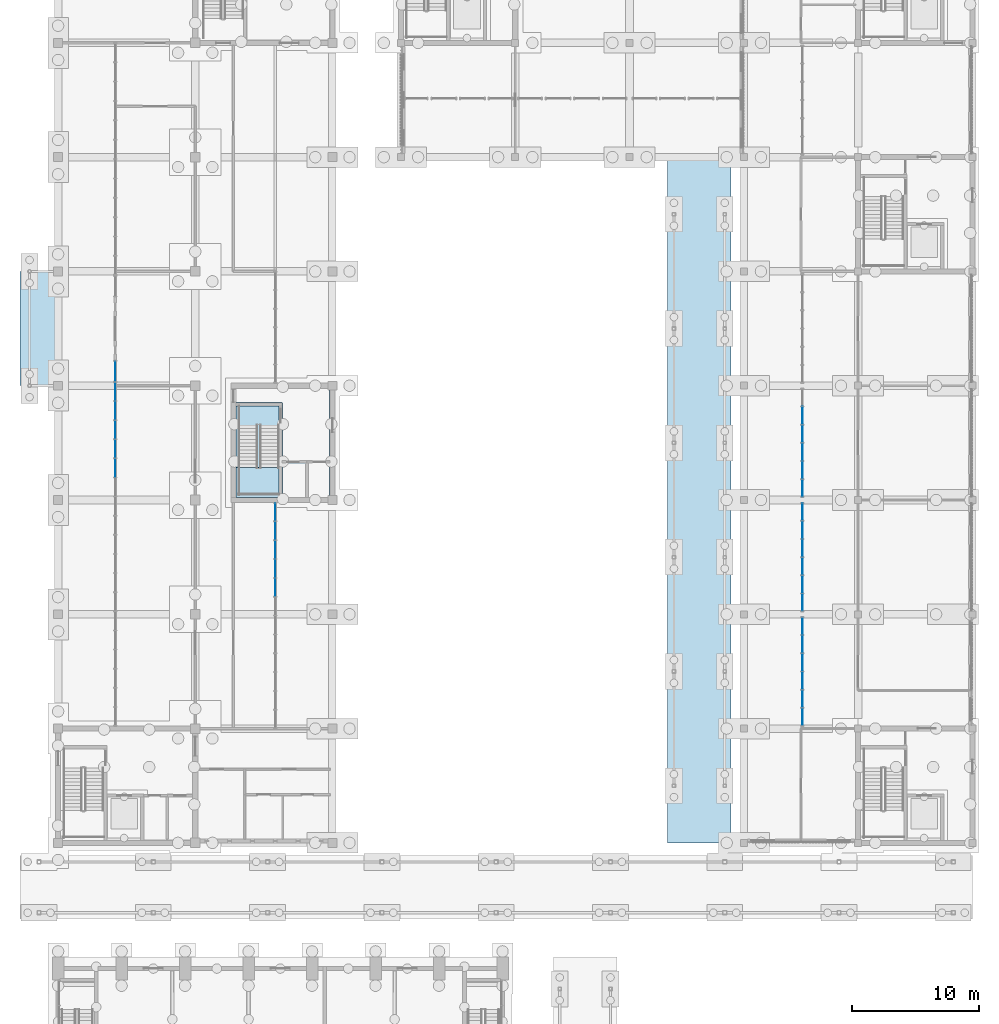
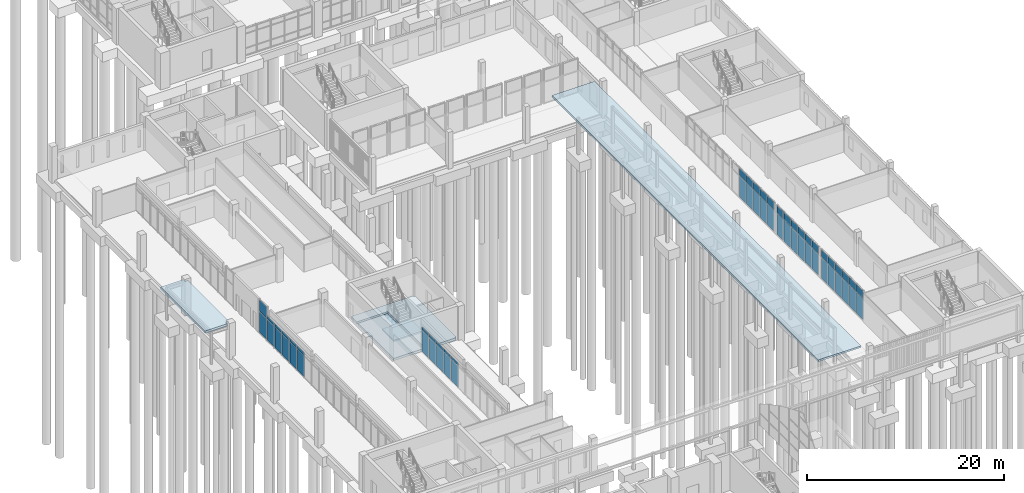
# One storey, part 59 of 106: 56 plates, 5 slabs, 7 elements without a shape of their own.
"""IFC4 building model written with IfcOpenShell, lengths in metres."""

from ifc_helpers import new_model, si_unit, direction, frame, origin, origin_2d, place, context, subcontext, project, spatial, polyline, rectangle, outline, extrude, material, layer, layer_set, type_object, element, aggregate, save


model = new_model("IFC4")

# Units and contexts
model_context = context("Model", 3, precision=1e-05, world=origin(), true_north=direction((0.0, 1.0)))
body_context = subcontext(model_context, "Body", "Model", "MODEL_VIEW")
ifc_project = project(units=[si_unit("LENGTHUNIT", "METRE"), si_unit("AREAUNIT", "SQUARE_METRE"), si_unit("VOLUMEUNIT", "CUBIC_METRE"), si_unit("PLANEANGLEUNIT", "RADIAN"), si_unit("MASSUNIT", "GRAM", prefix="KILO")], contexts=[model_context])

# Site, building, storey
site_placement = place(None, origin())
site = spatial("IfcSite", under=ifc_project, at=site_placement, CompositionType="ELEMENT")
building_placement = place(site_placement, origin())
building = spatial("IfcBuilding", under=site, at=building_placement, Name="Merrow Basin Faculty of Sciences", CompositionType="ELEMENT")
storey_placement = place(building_placement, origin())
storey = spatial("IfcBuildingStorey", under=building, at=storey_placement, Name="L00", CompositionType="ELEMENT", Elevation=0.0)

# Slabs
ifc_material_1 = material(Name="Concrete C40/50", Category="concrete")
ifc_layer_1 = layer(ifc_material_1, 0.219970703125)
ifc_layer_set_1 = layer_set([ifc_layer_1], Name="Canopy slab 220 Concrete C40/50")
slab_type_1 = type_object("IfcSlabType", Name="Canopy slab 220 Concrete C40/50", PredefinedType="ROOF", material=ifc_layer_set_1)
slab_1_placement = place(storey_placement, frame((0.0, 0.0, 4.179931640625)))
element("IfcSlab", 1, at=slab_1_placement, inside=storey, type_object=slab_type_1, Name="SL2 passage canopy P3 L00 004", PredefinedType="ROOF", context=body_context, shape_type="SweptSolid", body=[
    extrude(outline(polyline([(48.0, 115.0), (53.0, 115.0), (53.0, 61.0), (48.0, 61.0), (48.0, 115.0)])), origin(), (0.0, 0.0, 1.0), 0.219970703125),
])
ifc_material_2 = material(Name="Concrete C40/50", Category="concrete")
ifc_layer_2 = layer(ifc_material_2, 0.280029296875)
ifc_layer_set_2 = layer_set([ifc_layer_2], Name="Canopy slab 280 Concrete C40/50")
slab_type_2 = type_object("IfcSlabType", Name="Canopy slab 280 Concrete C40/50", PredefinedType="ROOF", material=ifc_layer_set_2)
slab_2_placement = place(storey_placement, frame((0.0, 0.0, 3.719970703125)))
element("IfcSlab", 2, at=slab_2_placement, inside=storey, type_object=slab_type_2, Name="SL1 entrance canopy L00 001", PredefinedType="ROOF", context=body_context, shape_type="SweptSolid", body=[
    extrude(outline(polyline([(-0.35009765625, 97.35009765625), (-0.35009765625, 97.0), (-3.0, 97.0), (-3.0, 106.0), (-0.35009765625, 106.0), (-0.35009765625, 105.64990234375), (0.0, 105.64990234375), (0.0, 97.35009765625), (-0.35009765625, 97.35009765625)])), origin(), (0.0, 0.0, 1.0), 0.280029296875),
])
ifc_material_3 = material(Name="Concrete C40/50", Category="concrete")
ifc_layer_3 = layer(ifc_material_3, 0.300048828125)
ifc_layer_set_3 = layer_set([ifc_layer_3], Name="Ground slab 300 Concrete C40/50")
slab_type_3 = type_object("IfcSlabType", Name="Ground slab 300 Concrete C40/50", PredefinedType="BASESLAB", material=ifc_layer_set_3)
slab_3_placement = place(storey_placement, frame((0.0, 0.0, -0.300048828125)))
element("IfcSlab", 3, at=slab_3_placement, inside=storey, type_object=slab_type_3, Name="SL3 ground L00 004", PredefinedType="BASESLAB", context=body_context, shape_type="SweptSolid", body=[
    extrude(outline(polyline([(17.64990234375, 95.39990234375), (17.64990234375, 95.64990234375), (14.0, 95.64990234375), (14.0, 96.800048828125), (21.25, 96.800048828125), (21.25, 96.64990234375), (21.39990234375, 96.64990234375), (21.39990234375, 88.35009765625), (21.25, 88.35009765625), (21.25, 88.199951171875), (17.64990234375, 88.199951171875), (17.64990234375, 95.39990234375)])), origin(), (0.0, 0.0, 1.0), 0.300048828125),
])
slab_4_placement = place(storey_placement, frame((0.0, 0.0, -0.300048828125)))
element("IfcSlab", 4, at=slab_4_placement, inside=storey, type_object=slab_type_3, Name="SL3 ground L00 006", PredefinedType="BASESLAB", context=body_context, shape_type="SweptSolid", body=[
    extrude(outline(polyline([(17.39990234375, 88.199951171875), (14.0, 88.199951171875), (14.0, 95.39990234375), (17.39990234375, 95.39990234375), (17.39990234375, 88.199951171875)])), origin(), (0.0, 0.0, 1.0), 0.300048828125),
])

# Curtain wall, plates
ifc_material_4 = material(Name="Aluminium alloy 6063", Category="aluminium")
curtain_wall_type_1 = type_object("IfcCurtainWallType", Name="Bar ground curtain wall 200", PredefinedType="NOTDEFINED", material=ifc_material_4)
curtain_wall_1_placement = place(storey_placement, origin())
curtain_wall_1 = element("IfcCurtainWall", 5, at=curtain_wall_1_placement, inside=storey, type_object=curtain_wall_type_1, Name="Ground curtain wall L00 1", PredefinedType="NOTDEFINED")
ifc_material_5 = material(Name="Laminated safety glass", Category="glass")
ifc_layer_4 = layer(ifc_material_5, 0.035888671875)
ifc_layer_set_4 = layer_set([ifc_layer_4], Name="Laminated safety glass panel 36")
plate_type = type_object("IfcPlateType", Name="Laminated safety glass panel 36", PredefinedType="CURTAIN_PANEL", material=ifc_layer_set_4)
plate_1_placement = place(storey_placement, frame((4.5, 90.52490234375, 0.06005859375), z_axis=(0.0, 0.0, 1.0), x_axis=(0.0, 1.0, 0.0)))
plate_1 = element("IfcPlate", 6, at=plate_1_placement, type_object=plate_type, Name="CW2 panel 14.1", PredefinedType="CURTAIN_PANEL", context=body_context, shape_type="SweptSolid", body=[
    extrude(rectangle(XDim=1.445556640625, YDim=0.035888671875, at=origin_2d()), origin(), (0.0, 0.0, 1.0), 2.610107421875),
])
plate_2_placement = place(storey_placement, frame((4.5, 90.52490234375, 2.72998046875), z_axis=(0.0, 0.0, 1.0), x_axis=(0.0, 1.0, 0.0)))
plate_2 = element("IfcPlate", 7, at=plate_2_placement, type_object=plate_type, Name="CW2 panel 14.2", PredefinedType="CURTAIN_PANEL", context=body_context, shape_type="SweptSolid", body=[
    extrude(rectangle(XDim=1.445556640625, YDim=0.035888671875, at=origin_2d()), origin(), (0.0, 0.0, 1.0), 0.35009765625),
])
plate_3_placement = place(storey_placement, frame((4.5, 92.030517578125, 0.06005859375), z_axis=(0.0, 0.0, 1.0), x_axis=(0.0, 1.0, 0.0)))
plate_3 = element("IfcPlate", 8, at=plate_3_placement, type_object=plate_type, Name="CW2 panel 15.1", PredefinedType="CURTAIN_PANEL", context=body_context, shape_type="SweptSolid", body=[
    extrude(rectangle(XDim=1.445556640625, YDim=0.035888671875, at=origin_2d()), origin(), (0.0, 0.0, 1.0), 2.610107421875),
])
plate_4_placement = place(storey_placement, frame((4.5, 92.030517578125, 2.72998046875), z_axis=(0.0, 0.0, 1.0), x_axis=(0.0, 1.0, 0.0)))
plate_4 = element("IfcPlate", 9, at=plate_4_placement, type_object=plate_type, Name="CW2 panel 15.2", PredefinedType="CURTAIN_PANEL", context=body_context, shape_type="SweptSolid", body=[
    extrude(rectangle(XDim=1.445556640625, YDim=0.035888671875, at=origin_2d()), origin(), (0.0, 0.0, 1.0), 0.35009765625),
])
plate_5_placement = place(storey_placement, frame((4.5, 93.5361328125, 0.06005859375), z_axis=(0.0, 0.0, 1.0), x_axis=(0.0, 1.0, 0.0)))
plate_5 = element("IfcPlate", 10, at=plate_5_placement, type_object=plate_type, Name="CW2 panel 16.1", PredefinedType="CURTAIN_PANEL", context=body_context, shape_type="SweptSolid", body=[
    extrude(rectangle(XDim=1.445556640625, YDim=0.035888671875, at=origin_2d()), origin(), (0.0, 0.0, 1.0), 2.610107421875),
])
plate_6_placement = place(storey_placement, frame((4.5, 93.5361328125, 2.72998046875), z_axis=(0.0, 0.0, 1.0), x_axis=(0.0, 1.0, 0.0)))
plate_6 = element("IfcPlate", 11, at=plate_6_placement, type_object=plate_type, Name="CW2 panel 16.2", PredefinedType="CURTAIN_PANEL", context=body_context, shape_type="SweptSolid", body=[
    extrude(rectangle(XDim=1.445556640625, YDim=0.035888671875, at=origin_2d()), origin(), (0.0, 0.0, 1.0), 0.35009765625),
])
plate_7_placement = place(storey_placement, frame((4.5, 95.041748046875, 0.06005859375), z_axis=(0.0, 0.0, 1.0), x_axis=(0.0, 1.0, 0.0)))
plate_7 = element("IfcPlate", 12, at=plate_7_placement, type_object=plate_type, Name="CW2 panel 17.1", PredefinedType="CURTAIN_PANEL", context=body_context, shape_type="SweptSolid", body=[
    extrude(rectangle(XDim=1.445556640625, YDim=0.035888671875, at=origin_2d()), origin(), (0.0, 0.0, 1.0), 2.610107421875),
])
plate_8_placement = place(storey_placement, frame((4.5, 95.041748046875, 2.72998046875), z_axis=(0.0, 0.0, 1.0), x_axis=(0.0, 1.0, 0.0)))
plate_8 = element("IfcPlate", 13, at=plate_8_placement, type_object=plate_type, Name="CW2 panel 17.2", PredefinedType="CURTAIN_PANEL", context=body_context, shape_type="SweptSolid", body=[
    extrude(rectangle(XDim=1.445556640625, YDim=0.035888671875, at=origin_2d()), origin(), (0.0, 0.0, 1.0), 0.35009765625),
])
plate_9_placement = place(storey_placement, frame((4.5, 96.5322265625, 0.06005859375), z_axis=(0.0, 0.0, 1.0), x_axis=(0.0, 1.0, 0.0)))
plate_9 = element("IfcPlate", 14, at=plate_9_placement, type_object=plate_type, Name="CW2 panel 18.1", PredefinedType="CURTAIN_PANEL", context=body_context, shape_type="SweptSolid", body=[
    extrude(rectangle(XDim=1.41552734375, YDim=0.035888671875, at=origin_2d()), origin(), (0.0, 0.0, 1.0), 2.610107421875),
])
plate_10_placement = place(storey_placement, frame((4.5, 96.5322265625, 2.72998046875), z_axis=(0.0, 0.0, 1.0), x_axis=(0.0, 1.0, 0.0)))
plate_10 = element("IfcPlate", 15, at=plate_10_placement, type_object=plate_type, Name="CW2 panel 18.2", PredefinedType="CURTAIN_PANEL", context=body_context, shape_type="SweptSolid", body=[
    extrude(rectangle(XDim=1.41552734375, YDim=0.035888671875, at=origin_2d()), origin(), (0.0, 0.0, 1.0), 0.35009765625),
])
aggregate(curtain_wall_1, [plate_1, plate_2, plate_3, plate_4, plate_5, plate_6, plate_7, plate_8, plate_9, plate_10])

curtain_wall_2_placement = place(storey_placement, origin())
curtain_wall_2 = element("IfcCurtainWall", 16, at=curtain_wall_2_placement, inside=storey, type_object=curtain_wall_type_1, Name="Ground curtain wall L00 2", PredefinedType="NOTDEFINED")
plate_11_placement = place(storey_placement, frame((4.5, 98.14990234375, 0.06005859375), z_axis=(0.0, 0.0, 1.0), x_axis=(0.0, 1.0, 0.0)))
plate_11 = element("IfcPlate", 17, at=plate_11_placement, type_object=plate_type, Name="CW2 panel 1.1", PredefinedType="CURTAIN_PANEL", context=body_context, shape_type="SweptSolid", body=[
    extrude(rectangle(XDim=1.580078125, YDim=0.035888671875, at=origin_2d()), origin(), (0.0, 0.0, 1.0), 2.610107421875),
])
plate_12_placement = place(storey_placement, frame((4.5, 98.14990234375, 2.72998046875), z_axis=(0.0, 0.0, 1.0), x_axis=(0.0, 1.0, 0.0)))
plate_12 = element("IfcPlate", 18, at=plate_12_placement, type_object=plate_type, Name="CW2 panel 1.2", PredefinedType="CURTAIN_PANEL", context=body_context, shape_type="SweptSolid", body=[
    extrude(rectangle(XDim=1.580078125, YDim=0.035888671875, at=origin_2d()), origin(), (0.0, 0.0, 1.0), 1.409912109375),
])
aggregate(curtain_wall_2, [plate_11, plate_12])

curtain_wall_3_placement = place(storey_placement, origin())
curtain_wall_3 = element("IfcCurtainWall", 19, at=curtain_wall_3_placement, inside=storey, type_object=curtain_wall_type_1, Name="Ground curtain wall L00 5", PredefinedType="NOTDEFINED")
plate_13_placement = place(storey_placement, frame((17.10009765625, 81.125, 0.06005859375), z_axis=(0.0, 0.0, 1.0), x_axis=(0.0, 1.0, 0.0)))
plate_13 = element("IfcPlate", 20, at=plate_13_placement, type_object=plate_type, Name="CW2 panel 8.1", PredefinedType="CURTAIN_PANEL", context=body_context, shape_type="SweptSolid", body=[
    extrude(rectangle(XDim=1.42333984375, YDim=0.035888671875, at=origin_2d()), origin(), (0.0, 0.0, 1.0), 2.610107421875),
])
plate_14_placement = place(storey_placement, frame((17.10009765625, 81.125, 2.72998046875), z_axis=(0.0, 0.0, 1.0), x_axis=(0.0, 1.0, 0.0)))
plate_14 = element("IfcPlate", 21, at=plate_14_placement, type_object=plate_type, Name="CW2 panel 8.2", PredefinedType="CURTAIN_PANEL", context=body_context, shape_type="SweptSolid", body=[
    extrude(rectangle(XDim=1.42333984375, YDim=0.035888671875, at=origin_2d()), origin(), (0.0, 0.0, 1.0), 0.35009765625),
])
plate_15_placement = place(storey_placement, frame((17.10009765625, 82.6083984375, 0.06005859375), z_axis=(0.0, 0.0, 1.0), x_axis=(0.0, 1.0, 0.0)))
plate_15 = element("IfcPlate", 22, at=plate_15_placement, type_object=plate_type, Name="CW2 panel 9.1", PredefinedType="CURTAIN_PANEL", context=body_context, shape_type="SweptSolid", body=[
    extrude(rectangle(XDim=1.42333984375, YDim=0.035888671875, at=origin_2d()), origin(), (0.0, 0.0, 1.0), 2.610107421875),
])
plate_16_placement = place(storey_placement, frame((17.10009765625, 82.6083984375, 2.72998046875), z_axis=(0.0, 0.0, 1.0), x_axis=(0.0, 1.0, 0.0)))
plate_16 = element("IfcPlate", 23, at=plate_16_placement, type_object=plate_type, Name="CW2 panel 9.2", PredefinedType="CURTAIN_PANEL", context=body_context, shape_type="SweptSolid", body=[
    extrude(rectangle(XDim=1.42333984375, YDim=0.035888671875, at=origin_2d()), origin(), (0.0, 0.0, 1.0), 0.35009765625),
])
plate_17_placement = place(storey_placement, frame((17.10009765625, 84.091552734375, 0.06005859375), z_axis=(0.0, 0.0, 1.0), x_axis=(0.0, 1.0, 0.0)))
plate_17 = element("IfcPlate", 24, at=plate_17_placement, type_object=plate_type, Name="CW2 panel 10.1", PredefinedType="CURTAIN_PANEL", context=body_context, shape_type="SweptSolid", body=[
    extrude(rectangle(XDim=1.42333984375, YDim=0.035888671875, at=origin_2d()), origin(), (0.0, 0.0, 1.0), 2.610107421875),
])
plate_18_placement = place(storey_placement, frame((17.10009765625, 84.091552734375, 2.72998046875), z_axis=(0.0, 0.0, 1.0), x_axis=(0.0, 1.0, 0.0)))
plate_18 = element("IfcPlate", 25, at=plate_18_placement, type_object=plate_type, Name="CW2 panel 10.2", PredefinedType="CURTAIN_PANEL", context=body_context, shape_type="SweptSolid", body=[
    extrude(rectangle(XDim=1.42333984375, YDim=0.035888671875, at=origin_2d()), origin(), (0.0, 0.0, 1.0), 0.35009765625),
])
plate_19_placement = place(storey_placement, frame((17.10009765625, 85.574951171875, 0.06005859375), z_axis=(0.0, 0.0, 1.0), x_axis=(0.0, 1.0, 0.0)))
plate_19 = element("IfcPlate", 26, at=plate_19_placement, type_object=plate_type, Name="CW2 panel 11.1", PredefinedType="CURTAIN_PANEL", context=body_context, shape_type="SweptSolid", body=[
    extrude(rectangle(XDim=1.42333984375, YDim=0.035888671875, at=origin_2d()), origin(), (0.0, 0.0, 1.0), 2.610107421875),
])
plate_20_placement = place(storey_placement, frame((17.10009765625, 85.574951171875, 2.72998046875), z_axis=(0.0, 0.0, 1.0), x_axis=(0.0, 1.0, 0.0)))
plate_20 = element("IfcPlate", 27, at=plate_20_placement, type_object=plate_type, Name="CW2 panel 11.2", PredefinedType="CURTAIN_PANEL", context=body_context, shape_type="SweptSolid", body=[
    extrude(rectangle(XDim=1.42333984375, YDim=0.035888671875, at=origin_2d()), origin(), (0.0, 0.0, 1.0), 0.35009765625),
])
plate_21_placement = place(storey_placement, frame((17.10009765625, 87.043212890625, 0.06005859375), z_axis=(0.0, 0.0, 1.0), x_axis=(0.0, 1.0, 0.0)))
plate_21 = element("IfcPlate", 28, at=plate_21_placement, type_object=plate_type, Name="CW2 panel 12.1", PredefinedType="CURTAIN_PANEL", context=body_context, shape_type="SweptSolid", body=[
    extrude(rectangle(XDim=1.393310546875, YDim=0.035888671875, at=origin_2d()), origin(), (0.0, 0.0, 1.0), 2.610107421875),
])
plate_22_placement = place(storey_placement, frame((17.10009765625, 87.043212890625, 2.72998046875), z_axis=(0.0, 0.0, 1.0), x_axis=(0.0, 1.0, 0.0)))
plate_22 = element("IfcPlate", 29, at=plate_22_placement, type_object=plate_type, Name="CW2 panel 12.2", PredefinedType="CURTAIN_PANEL", context=body_context, shape_type="SweptSolid", body=[
    extrude(rectangle(XDim=1.393310546875, YDim=0.035888671875, at=origin_2d()), origin(), (0.0, 0.0, 1.0), 0.35009765625),
])
aggregate(curtain_wall_3, [plate_13, plate_14, plate_15, plate_16, plate_17, plate_18, plate_19, plate_20, plate_21, plate_22])

ifc_material_6 = material(Name="Aluminium alloy 6063", Category="aluminium")
curtain_wall_type_2 = type_object("IfcCurtainWallType", Name="Arcade curtain wall 220", PredefinedType="NOTDEFINED", material=ifc_material_6)
curtain_wall_4_placement = place(storey_placement, origin())
curtain_wall_4 = element("IfcCurtainWall", 30, at=curtain_wall_4_placement, inside=storey, type_object=curtain_wall_type_2, Name="Arcade curtain wall L00 1", PredefinedType="NOTDEFINED")
plate_23_placement = place(storey_placement, frame((58.610107421875, 70.931640625, 0.06005859375), z_axis=(0.0, 0.0, 1.0), x_axis=(0.0, 1.0, 0.0)))
plate_23 = element("IfcPlate", 31, at=plate_23_placement, type_object=plate_type, Name="CW9 panel 1.1", PredefinedType="CURTAIN_PANEL", context=body_context, shape_type="SweptSolid", body=[
    extrude(rectangle(XDim=1.34326171875, YDim=0.035888671875, at=origin_2d()), origin(), (0.0, 0.0, 1.0), 2.610107421875),
])
plate_24_placement = place(storey_placement, frame((58.610107421875, 70.931640625, 2.72998046875), z_axis=(0.0, 0.0, 1.0), x_axis=(0.0, 1.0, 0.0)))
plate_24 = element("IfcPlate", 32, at=plate_24_placement, type_object=plate_type, Name="CW9 panel 1.2", PredefinedType="CURTAIN_PANEL", context=body_context, shape_type="SweptSolid", body=[
    extrude(rectangle(XDim=1.34326171875, YDim=0.035888671875, at=origin_2d()), origin(), (0.0, 0.0, 1.0), 0.909912109375),
])
plate_25_placement = place(storey_placement, frame((58.610107421875, 72.35009765625, 0.06005859375), z_axis=(0.0, 0.0, 1.0), x_axis=(0.0, 1.0, 0.0)))
plate_25 = element("IfcPlate", 33, at=plate_25_placement, type_object=plate_type, Name="CW9 panel 2.1", PredefinedType="CURTAIN_PANEL", context=body_context, shape_type="SweptSolid", body=[
    extrude(rectangle(XDim=1.373291015625, YDim=0.035888671875, at=origin_2d()), origin(), (0.0, 0.0, 1.0), 2.610107421875),
])
plate_26_placement = place(storey_placement, frame((58.610107421875, 72.35009765625, 2.72998046875), z_axis=(0.0, 0.0, 1.0), x_axis=(0.0, 1.0, 0.0)))
plate_26 = element("IfcPlate", 34, at=plate_26_placement, type_object=plate_type, Name="CW9 panel 2.2", PredefinedType="CURTAIN_PANEL", context=body_context, shape_type="SweptSolid", body=[
    extrude(rectangle(XDim=1.373291015625, YDim=0.035888671875, at=origin_2d()), origin(), (0.0, 0.0, 1.0), 0.909912109375),
])
plate_27_placement = place(storey_placement, frame((58.610107421875, 73.783447265625, 0.06005859375), z_axis=(0.0, 0.0, 1.0), x_axis=(0.0, 1.0, 0.0)))
plate_27 = element("IfcPlate", 35, at=plate_27_placement, type_object=plate_type, Name="CW9 panel 3.1", PredefinedType="CURTAIN_PANEL", context=body_context, shape_type="SweptSolid", body=[
    extrude(rectangle(XDim=1.373291015625, YDim=0.035888671875, at=origin_2d()), origin(), (0.0, 0.0, 1.0), 2.610107421875),
])
plate_28_placement = place(storey_placement, frame((58.610107421875, 73.783447265625, 2.72998046875), z_axis=(0.0, 0.0, 1.0), x_axis=(0.0, 1.0, 0.0)))
plate_28 = element("IfcPlate", 36, at=plate_28_placement, type_object=plate_type, Name="CW9 panel 3.2", PredefinedType="CURTAIN_PANEL", context=body_context, shape_type="SweptSolid", body=[
    extrude(rectangle(XDim=1.373291015625, YDim=0.035888671875, at=origin_2d()), origin(), (0.0, 0.0, 1.0), 0.909912109375),
])
plate_29_placement = place(storey_placement, frame((58.610107421875, 75.216552734375, 0.06005859375), z_axis=(0.0, 0.0, 1.0), x_axis=(0.0, 1.0, 0.0)))
plate_29 = element("IfcPlate", 37, at=plate_29_placement, type_object=plate_type, Name="CW9 panel 4.1", PredefinedType="CURTAIN_PANEL", context=body_context, shape_type="SweptSolid", body=[
    extrude(rectangle(XDim=1.373291015625, YDim=0.035888671875, at=origin_2d()), origin(), (0.0, 0.0, 1.0), 2.610107421875),
])
plate_30_placement = place(storey_placement, frame((58.610107421875, 75.216552734375, 2.72998046875), z_axis=(0.0, 0.0, 1.0), x_axis=(0.0, 1.0, 0.0)))
plate_30 = element("IfcPlate", 38, at=plate_30_placement, type_object=plate_type, Name="CW9 panel 4.2", PredefinedType="CURTAIN_PANEL", context=body_context, shape_type="SweptSolid", body=[
    extrude(rectangle(XDim=1.373291015625, YDim=0.035888671875, at=origin_2d()), origin(), (0.0, 0.0, 1.0), 0.909912109375),
])
plate_31_placement = place(storey_placement, frame((58.610107421875, 76.64990234375, 0.06005859375), z_axis=(0.0, 0.0, 1.0), x_axis=(0.0, 1.0, 0.0)))
plate_31 = element("IfcPlate", 39, at=plate_31_placement, type_object=plate_type, Name="CW9 panel 5.1", PredefinedType="CURTAIN_PANEL", context=body_context, shape_type="SweptSolid", body=[
    extrude(rectangle(XDim=1.373291015625, YDim=0.035888671875, at=origin_2d()), origin(), (0.0, 0.0, 1.0), 2.610107421875),
])
plate_32_placement = place(storey_placement, frame((58.610107421875, 76.64990234375, 2.72998046875), z_axis=(0.0, 0.0, 1.0), x_axis=(0.0, 1.0, 0.0)))
plate_32 = element("IfcPlate", 40, at=plate_32_placement, type_object=plate_type, Name="CW9 panel 5.2", PredefinedType="CURTAIN_PANEL", context=body_context, shape_type="SweptSolid", body=[
    extrude(rectangle(XDim=1.373291015625, YDim=0.035888671875, at=origin_2d()), origin(), (0.0, 0.0, 1.0), 0.909912109375),
])
plate_33_placement = place(storey_placement, frame((58.610107421875, 78.068359375, 0.06005859375), z_axis=(0.0, 0.0, 1.0), x_axis=(0.0, 1.0, 0.0)))
plate_33 = element("IfcPlate", 41, at=plate_33_placement, type_object=plate_type, Name="CW9 panel 6.1", PredefinedType="CURTAIN_PANEL", context=body_context, shape_type="SweptSolid", body=[
    extrude(rectangle(XDim=1.34326171875, YDim=0.035888671875, at=origin_2d()), origin(), (0.0, 0.0, 1.0), 2.610107421875),
])
plate_34_placement = place(storey_placement, frame((58.610107421875, 78.068359375, 2.72998046875), z_axis=(0.0, 0.0, 1.0), x_axis=(0.0, 1.0, 0.0)))
plate_34 = element("IfcPlate", 42, at=plate_34_placement, type_object=plate_type, Name="CW9 panel 6.2", PredefinedType="CURTAIN_PANEL", context=body_context, shape_type="SweptSolid", body=[
    extrude(rectangle(XDim=1.34326171875, YDim=0.035888671875, at=origin_2d()), origin(), (0.0, 0.0, 1.0), 0.909912109375),
])
aggregate(curtain_wall_4, [plate_23, plate_24, plate_25, plate_26, plate_27, plate_28, plate_29, plate_30, plate_31, plate_32, plate_33, plate_34])

curtain_wall_5_placement = place(storey_placement, origin())
curtain_wall_5 = element("IfcCurtainWall", 43, at=curtain_wall_5_placement, inside=storey, type_object=curtain_wall_type_2, Name="Arcade curtain wall L00 2", PredefinedType="NOTDEFINED")
plate_35_placement = place(storey_placement, frame((58.610107421875, 79.931640625, 0.06005859375), z_axis=(0.0, 0.0, 1.0), x_axis=(0.0, 1.0, 0.0)))
plate_35 = element("IfcPlate", 44, at=plate_35_placement, type_object=plate_type, Name="CW9 panel 1.1", PredefinedType="CURTAIN_PANEL", context=body_context, shape_type="SweptSolid", body=[
    extrude(rectangle(XDim=1.34326171875, YDim=0.035888671875, at=origin_2d()), origin(), (0.0, 0.0, 1.0), 2.610107421875),
])
plate_36_placement = place(storey_placement, frame((58.610107421875, 79.931640625, 2.72998046875), z_axis=(0.0, 0.0, 1.0), x_axis=(0.0, 1.0, 0.0)))
plate_36 = element("IfcPlate", 45, at=plate_36_placement, type_object=plate_type, Name="CW9 panel 1.2", PredefinedType="CURTAIN_PANEL", context=body_context, shape_type="SweptSolid", body=[
    extrude(rectangle(XDim=1.34326171875, YDim=0.035888671875, at=origin_2d()), origin(), (0.0, 0.0, 1.0), 0.909912109375),
])
plate_37_placement = place(storey_placement, frame((58.610107421875, 81.35009765625, 0.06005859375), z_axis=(0.0, 0.0, 1.0), x_axis=(0.0, 1.0, 0.0)))
plate_37 = element("IfcPlate", 46, at=plate_37_placement, type_object=plate_type, Name="CW9 panel 2.1", PredefinedType="CURTAIN_PANEL", context=body_context, shape_type="SweptSolid", body=[
    extrude(rectangle(XDim=1.373291015625, YDim=0.035888671875, at=origin_2d()), origin(), (0.0, 0.0, 1.0), 2.610107421875),
])
plate_38_placement = place(storey_placement, frame((58.610107421875, 81.35009765625, 2.72998046875), z_axis=(0.0, 0.0, 1.0), x_axis=(0.0, 1.0, 0.0)))
plate_38 = element("IfcPlate", 47, at=plate_38_placement, type_object=plate_type, Name="CW9 panel 2.2", PredefinedType="CURTAIN_PANEL", context=body_context, shape_type="SweptSolid", body=[
    extrude(rectangle(XDim=1.373291015625, YDim=0.035888671875, at=origin_2d()), origin(), (0.0, 0.0, 1.0), 0.909912109375),
])
plate_39_placement = place(storey_placement, frame((58.610107421875, 82.783447265625, 0.06005859375), z_axis=(0.0, 0.0, 1.0), x_axis=(0.0, 1.0, 0.0)))
plate_39 = element("IfcPlate", 48, at=plate_39_placement, type_object=plate_type, Name="CW9 panel 3.1", PredefinedType="CURTAIN_PANEL", context=body_context, shape_type="SweptSolid", body=[
    extrude(rectangle(XDim=1.373291015625, YDim=0.035888671875, at=origin_2d()), origin(), (0.0, 0.0, 1.0), 2.610107421875),
])
plate_40_placement = place(storey_placement, frame((58.610107421875, 82.783447265625, 2.72998046875), z_axis=(0.0, 0.0, 1.0), x_axis=(0.0, 1.0, 0.0)))
plate_40 = element("IfcPlate", 49, at=plate_40_placement, type_object=plate_type, Name="CW9 panel 3.2", PredefinedType="CURTAIN_PANEL", context=body_context, shape_type="SweptSolid", body=[
    extrude(rectangle(XDim=1.373291015625, YDim=0.035888671875, at=origin_2d()), origin(), (0.0, 0.0, 1.0), 0.909912109375),
])
plate_41_placement = place(storey_placement, frame((58.610107421875, 84.216552734375, 0.06005859375), z_axis=(0.0, 0.0, 1.0), x_axis=(0.0, 1.0, 0.0)))
plate_41 = element("IfcPlate", 50, at=plate_41_placement, type_object=plate_type, Name="CW9 panel 4.1", PredefinedType="CURTAIN_PANEL", context=body_context, shape_type="SweptSolid", body=[
    extrude(rectangle(XDim=1.373291015625, YDim=0.035888671875, at=origin_2d()), origin(), (0.0, 0.0, 1.0), 2.610107421875),
])
plate_42_placement = place(storey_placement, frame((58.610107421875, 84.216552734375, 2.72998046875), z_axis=(0.0, 0.0, 1.0), x_axis=(0.0, 1.0, 0.0)))
plate_42 = element("IfcPlate", 51, at=plate_42_placement, type_object=plate_type, Name="CW9 panel 4.2", PredefinedType="CURTAIN_PANEL", context=body_context, shape_type="SweptSolid", body=[
    extrude(rectangle(XDim=1.373291015625, YDim=0.035888671875, at=origin_2d()), origin(), (0.0, 0.0, 1.0), 0.909912109375),
])
plate_43_placement = place(storey_placement, frame((58.610107421875, 85.64990234375, 0.06005859375), z_axis=(0.0, 0.0, 1.0), x_axis=(0.0, 1.0, 0.0)))
plate_43 = element("IfcPlate", 52, at=plate_43_placement, type_object=plate_type, Name="CW9 panel 5.1", PredefinedType="CURTAIN_PANEL", context=body_context, shape_type="SweptSolid", body=[
    extrude(rectangle(XDim=1.373291015625, YDim=0.035888671875, at=origin_2d()), origin(), (0.0, 0.0, 1.0), 2.610107421875),
])
plate_44_placement = place(storey_placement, frame((58.610107421875, 85.64990234375, 2.72998046875), z_axis=(0.0, 0.0, 1.0), x_axis=(0.0, 1.0, 0.0)))
plate_44 = element("IfcPlate", 53, at=plate_44_placement, type_object=plate_type, Name="CW9 panel 5.2", PredefinedType="CURTAIN_PANEL", context=body_context, shape_type="SweptSolid", body=[
    extrude(rectangle(XDim=1.373291015625, YDim=0.035888671875, at=origin_2d()), origin(), (0.0, 0.0, 1.0), 0.909912109375),
])
plate_45_placement = place(storey_placement, frame((58.610107421875, 87.068359375, 0.06005859375), z_axis=(0.0, 0.0, 1.0), x_axis=(0.0, 1.0, 0.0)))
plate_45 = element("IfcPlate", 54, at=plate_45_placement, type_object=plate_type, Name="CW9 panel 6.1", PredefinedType="CURTAIN_PANEL", context=body_context, shape_type="SweptSolid", body=[
    extrude(rectangle(XDim=1.34326171875, YDim=0.035888671875, at=origin_2d()), origin(), (0.0, 0.0, 1.0), 2.610107421875),
])
plate_46_placement = place(storey_placement, frame((58.610107421875, 87.068359375, 2.72998046875), z_axis=(0.0, 0.0, 1.0), x_axis=(0.0, 1.0, 0.0)))
plate_46 = element("IfcPlate", 55, at=plate_46_placement, type_object=plate_type, Name="CW9 panel 6.2", PredefinedType="CURTAIN_PANEL", context=body_context, shape_type="SweptSolid", body=[
    extrude(rectangle(XDim=1.34326171875, YDim=0.035888671875, at=origin_2d()), origin(), (0.0, 0.0, 1.0), 0.909912109375),
])
aggregate(curtain_wall_5, [plate_35, plate_36, plate_37, plate_38, plate_39, plate_40, plate_41, plate_42, plate_43, plate_44, plate_45, plate_46])

curtain_wall_6_placement = place(storey_placement, origin())
curtain_wall_6 = element("IfcCurtainWall", 56, at=curtain_wall_6_placement, inside=storey, type_object=curtain_wall_type_2, Name="Arcade curtain wall L00 3", PredefinedType="NOTDEFINED")
plate_47_placement = place(storey_placement, frame((58.610107421875, 88.931640625, 0.06005859375), z_axis=(0.0, 0.0, 1.0), x_axis=(0.0, 1.0, 0.0)))
plate_47 = element("IfcPlate", 57, at=plate_47_placement, type_object=plate_type, Name="CW9 panel 1.1", PredefinedType="CURTAIN_PANEL", context=body_context, shape_type="SweptSolid", body=[
    extrude(rectangle(XDim=1.34326171875, YDim=0.035888671875, at=origin_2d()), origin(), (0.0, 0.0, 1.0), 2.610107421875),
])
plate_48_placement = place(storey_placement, frame((58.610107421875, 88.931640625, 2.72998046875), z_axis=(0.0, 0.0, 1.0), x_axis=(0.0, 1.0, 0.0)))
plate_48 = element("IfcPlate", 58, at=plate_48_placement, type_object=plate_type, Name="CW9 panel 1.2", PredefinedType="CURTAIN_PANEL", context=body_context, shape_type="SweptSolid", body=[
    extrude(rectangle(XDim=1.34326171875, YDim=0.035888671875, at=origin_2d()), origin(), (0.0, 0.0, 1.0), 0.909912109375),
])
plate_49_placement = place(storey_placement, frame((58.610107421875, 90.35009765625, 0.06005859375), z_axis=(0.0, 0.0, 1.0), x_axis=(0.0, 1.0, 0.0)))
plate_49 = element("IfcPlate", 59, at=plate_49_placement, type_object=plate_type, Name="CW9 panel 2.1", PredefinedType="CURTAIN_PANEL", context=body_context, shape_type="SweptSolid", body=[
    extrude(rectangle(XDim=1.373291015625, YDim=0.035888671875, at=origin_2d()), origin(), (0.0, 0.0, 1.0), 2.610107421875),
])
plate_50_placement = place(storey_placement, frame((58.610107421875, 90.35009765625, 2.72998046875), z_axis=(0.0, 0.0, 1.0), x_axis=(0.0, 1.0, 0.0)))
plate_50 = element("IfcPlate", 60, at=plate_50_placement, type_object=plate_type, Name="CW9 panel 2.2", PredefinedType="CURTAIN_PANEL", context=body_context, shape_type="SweptSolid", body=[
    extrude(rectangle(XDim=1.373291015625, YDim=0.035888671875, at=origin_2d()), origin(), (0.0, 0.0, 1.0), 0.909912109375),
])
plate_51_placement = place(storey_placement, frame((58.610107421875, 91.783447265625, 0.06005859375), z_axis=(0.0, 0.0, 1.0), x_axis=(0.0, 1.0, 0.0)))
plate_51 = element("IfcPlate", 61, at=plate_51_placement, type_object=plate_type, Name="CW9 panel 3.1", PredefinedType="CURTAIN_PANEL", context=body_context, shape_type="SweptSolid", body=[
    extrude(rectangle(XDim=1.373291015625, YDim=0.035888671875, at=origin_2d()), origin(), (0.0, 0.0, 1.0), 2.610107421875),
])
plate_52_placement = place(storey_placement, frame((58.610107421875, 91.783447265625, 2.72998046875), z_axis=(0.0, 0.0, 1.0), x_axis=(0.0, 1.0, 0.0)))
plate_52 = element("IfcPlate", 62, at=plate_52_placement, type_object=plate_type, Name="CW9 panel 3.2", PredefinedType="CURTAIN_PANEL", context=body_context, shape_type="SweptSolid", body=[
    extrude(rectangle(XDim=1.373291015625, YDim=0.035888671875, at=origin_2d()), origin(), (0.0, 0.0, 1.0), 0.909912109375),
])
plate_53_placement = place(storey_placement, frame((58.610107421875, 93.216552734375, 0.06005859375), z_axis=(0.0, 0.0, 1.0), x_axis=(0.0, 1.0, 0.0)))
plate_53 = element("IfcPlate", 63, at=plate_53_placement, type_object=plate_type, Name="CW9 panel 4.1", PredefinedType="CURTAIN_PANEL", context=body_context, shape_type="SweptSolid", body=[
    extrude(rectangle(XDim=1.373291015625, YDim=0.035888671875, at=origin_2d()), origin(), (0.0, 0.0, 1.0), 2.610107421875),
])
plate_54_placement = place(storey_placement, frame((58.610107421875, 93.216552734375, 2.72998046875), z_axis=(0.0, 0.0, 1.0), x_axis=(0.0, 1.0, 0.0)))
plate_54 = element("IfcPlate", 64, at=plate_54_placement, type_object=plate_type, Name="CW9 panel 4.2", PredefinedType="CURTAIN_PANEL", context=body_context, shape_type="SweptSolid", body=[
    extrude(rectangle(XDim=1.373291015625, YDim=0.035888671875, at=origin_2d()), origin(), (0.0, 0.0, 1.0), 0.909912109375),
])
plate_55_placement = place(storey_placement, frame((58.610107421875, 94.64990234375, 0.06005859375), z_axis=(0.0, 0.0, 1.0), x_axis=(0.0, 1.0, 0.0)))
plate_55 = element("IfcPlate", 65, at=plate_55_placement, type_object=plate_type, Name="CW9 panel 5.1", PredefinedType="CURTAIN_PANEL", context=body_context, shape_type="SweptSolid", body=[
    extrude(rectangle(XDim=1.373291015625, YDim=0.035888671875, at=origin_2d()), origin(), (0.0, 0.0, 1.0), 2.610107421875),
])
plate_56_placement = place(storey_placement, frame((58.610107421875, 94.64990234375, 2.72998046875), z_axis=(0.0, 0.0, 1.0), x_axis=(0.0, 1.0, 0.0)))
plate_56 = element("IfcPlate", 66, at=plate_56_placement, type_object=plate_type, Name="CW9 panel 5.2", PredefinedType="CURTAIN_PANEL", context=body_context, shape_type="SweptSolid", body=[
    extrude(rectangle(XDim=1.373291015625, YDim=0.035888671875, at=origin_2d()), origin(), (0.0, 0.0, 1.0), 0.909912109375),
])
aggregate(curtain_wall_6, [plate_47, plate_48, plate_49, plate_50, plate_51, plate_52, plate_53, plate_54, plate_55, plate_56])

# Stair, slab
ifc_material_7 = material(Name="Concrete C40/50", Category="concrete")
stair_type = type_object("IfcStairType", Name="Concrete dog-leg stair Concrete C40/50", PredefinedType="HALF_TURN_STAIR", material=ifc_material_7)
stair_placement = place(storey_placement, origin())
stair = element("IfcStair", 67, at=stair_placement, inside=storey, type_object=stair_type, Name="L00 Exit stair M", PredefinedType="HALF_TURN_STAIR")
ifc_material_8 = material(Name="Concrete C40/50", Category="concrete")
ifc_layer_5 = layer(ifc_material_8, 0.199951171875)
ifc_layer_set_5 = layer_set([ifc_layer_5], Name="Stair landing 200 Concrete C40/50")
slab_type_4 = type_object("IfcSlabType", Name="Stair landing 200 Concrete C40/50", PredefinedType="LANDING", material=ifc_layer_set_5)
slab_5_placement = place(storey_placement, frame((0.0, 0.0, 2.050048828125)))
slab_5 = element("IfcSlab", 68, at=slab_5_placement, type_object=slab_type_4, Name="ST-V4-M landing 1", PredefinedType="LANDING", context=body_context, shape_type="SweptSolid", body=[
    extrude(outline(polyline([(14.0, 88.199951171875), (17.39990234375, 88.199951171875), (17.39990234375, 90.5400390625), (14.0, 90.5400390625), (14.0, 88.199951171875)])), origin(), (0.0, 0.0, 1.0), 0.199951171875),
])
aggregate(stair, [slab_5])

save(model, "model.ifc")
